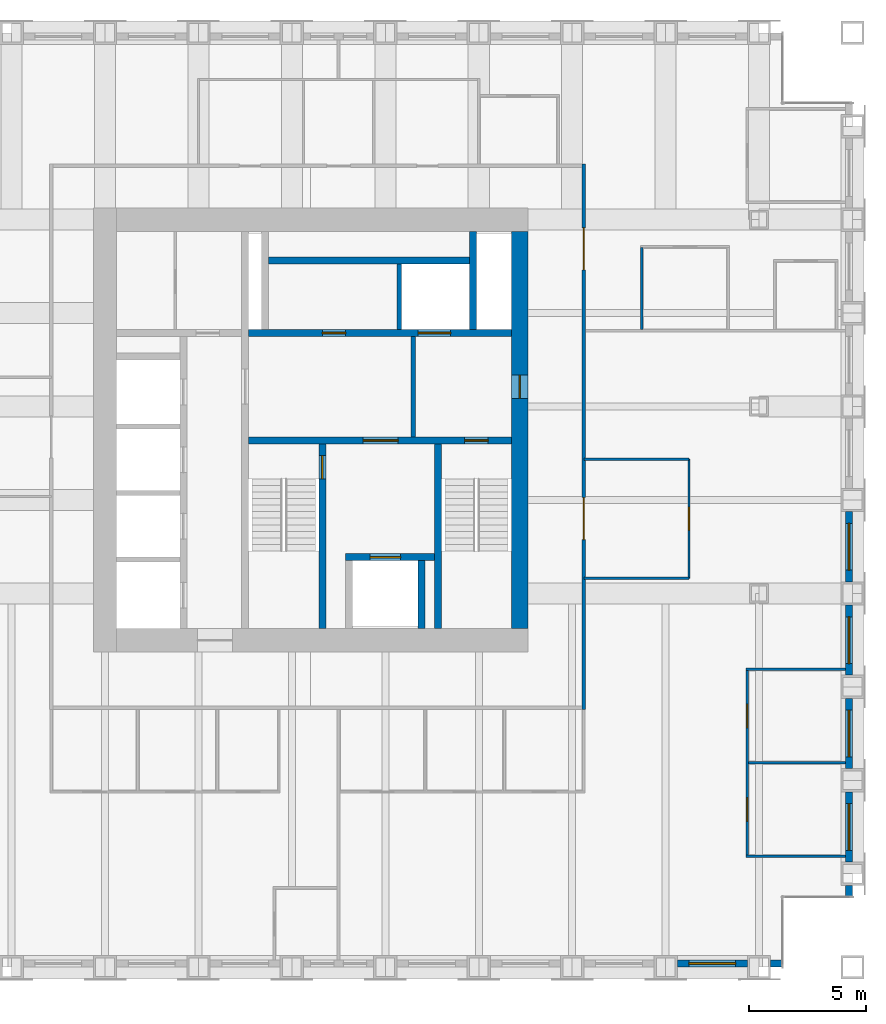
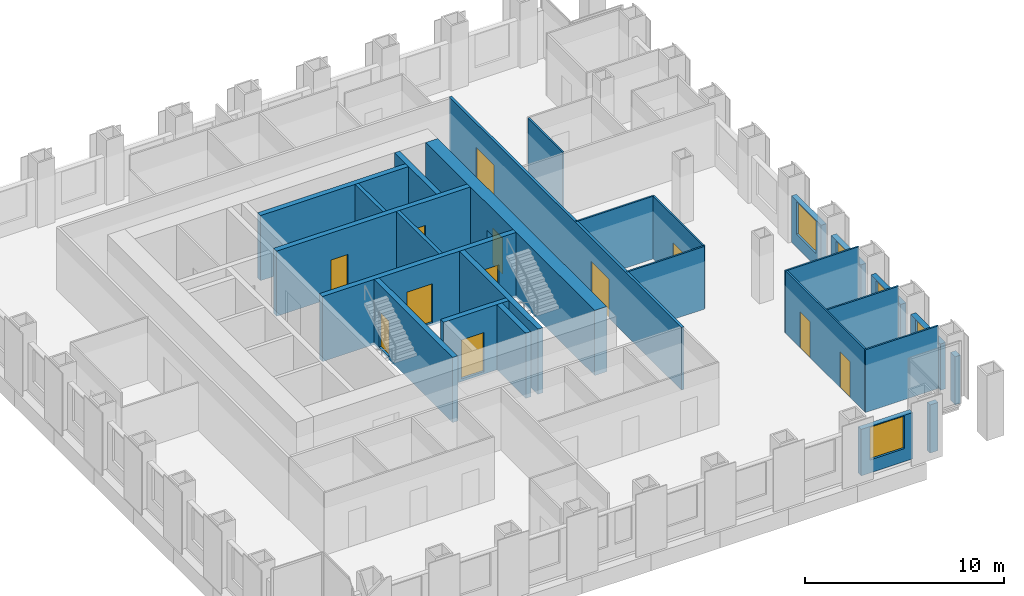
# One storey, part 9 of 13: 27 walls, 12 doors, 5 windows, 17 openings.
"""IFC4 building model written with IfcOpenShell, lengths in metres."""

from ifc_helpers import new_model, si_unit, direction, frame, frame_2d, origin, place, context, subcontext, project, spatial, rectangle, extrude, material, layer, layer_set, type_object, element, fill, save


model = new_model("IFC4")

# Units and contexts
model_context = context("Model", 3, precision=1e-05, world=origin(), true_north=direction((0.0, 1.0)))
body_context = subcontext(model_context, "Body", "Model", "MODEL_VIEW")
ifc_project = project(units=[si_unit("LENGTHUNIT", "METRE"), si_unit("AREAUNIT", "SQUARE_METRE"), si_unit("VOLUMEUNIT", "CUBIC_METRE"), si_unit("PLANEANGLEUNIT", "RADIAN"), si_unit("MASSUNIT", "GRAM", prefix="KILO")], contexts=[model_context])

# Site, building, storey
site_placement = place(None, origin())
site = spatial("IfcSite", under=ifc_project, at=site_placement, CompositionType="ELEMENT")
building_placement = place(site_placement, origin())
building = spatial("IfcBuilding", under=site, at=building_placement, Name="Rimbunsela Tower", CompositionType="ELEMENT")
storey_placement = place(building_placement, frame((0.0, 0.0, 254.199951171875)))
storey = spatial("IfcBuildingStorey", under=building, at=storey_placement, Name="L61", CompositionType="ELEMENT", Elevation=254.199951171875)

# Wall, openings, doors
ifc_material_1 = material(Name="Concrete fc' 80 MPa", Category="concrete")
ifc_layer_1 = layer(ifc_material_1, 0.300048828125)
ifc_layer_set_1 = layer_set([ifc_layer_1], Name="Core internal wall 300")
wall_type_1 = type_object("IfcWallType", Name="Core internal wall 300", PredefinedType="SHEAR", material=ifc_layer_set_1)
wall_1_placement = place(storey_placement, frame((24.14990234375, 26.550048828125, -0.14990234375), z_axis=(0.0, 0.0, 1.0), x_axis=(1.0, 0.0, 0.0)))
wall_1 = element("IfcWall", 1, at=wall_1_placement, inside=storey, type_object=wall_type_1, Name="Core wall lobby south", PredefinedType="SHEAR", context=body_context, shape_type="SweptSolid", body=[
    extrude(rectangle(XDim=11.25, YDim=0.300048828125, at=frame_2d((5.625, 0.0))), origin(), (0.0, 0.0, 1.0), 4.0),
])
opening_1_placement = place(wall_1_placement, frame((9.25, 0.0, 0.14990234375)))
opening_1 = element("IfcOpeningElement", 2, at=opening_1_placement, cuts=wall_1, Name="Opening D01", PredefinedType="OPENING", context=body_context, shape_type="SweptSolid", body=[
    extrude(rectangle(XDim=1.0, YDim=2.199951171875, at=frame_2d((0.5, 1.10009765625))), frame((0.0, 0.159912109375, 0.0), z_axis=(0.0, -1.0, 0.0), x_axis=(1.0, 0.0, 0.0)), (0.0, 0.0, 1.0), 0.320068359375),
])
opening_2_placement = place(wall_1_placement, frame((4.89990234375, 0.0, 0.14990234375)))
opening_2 = element("IfcOpeningElement", 3, at=opening_2_placement, cuts=wall_1, Name="Opening D03", PredefinedType="OPENING", context=body_context, shape_type="SweptSolid", body=[
    extrude(rectangle(XDim=1.5, YDim=2.39990234375, at=frame_2d((0.75, 1.199951171875))), frame((0.0, 0.159912109375, 0.0), z_axis=(0.0, -1.0, 0.0), x_axis=(1.0, 0.0, 0.0)), (0.0, 0.0, 1.0), 0.320068359375),
])
ifc_material_2 = material(Name="Steel door, fire rated", Category="steel")
door_type_1 = type_object("IfcDoorType", Name="Core lobby door 1500", OperationType="DOUBLE_DOOR_DOUBLE_SWING", PredefinedType="DOOR", material=ifc_material_2)
door_1_placement = place(opening_2_placement, origin())
door_1 = element("IfcDoor", 4, at=door_1_placement, inside=storey, type_object=door_type_1, Name="Firefighting lobby door", OperationType="DOUBLE_DOOR_DOUBLE_SWING", OverallHeight=2.39990234375, OverallWidth=1.5, PredefinedType="DOOR", context=body_context, shape_type="SweptSolid", body=[
    extrude(rectangle(XDim=1.5, YDim=2.39990234375, at=frame_2d((0.75, 1.199951171875))), frame((0.0, 0.02490234375, 0.0), z_axis=(0.0, -1.0, 0.0), x_axis=(1.0, 0.0, 0.0)), (0.0, 0.0, 1.0), 0.050048828125),
])
fill(opening_2, door_1)
ifc_material_3 = material(Name="Steel door, fire rated", Category="steel")
door_type_2 = type_object("IfcDoorType", Name="Stair door 1000", OperationType="SINGLE_SWING_RIGHT", PredefinedType="DOOR", material=ifc_material_3)
door_2_placement = place(opening_1_placement, frame((1.0, 0.0, 0.0), z_axis=(0.0, 0.0, 1.0), x_axis=(-1.0, 0.0, 0.0)))
door_2 = element("IfcDoor", 5, at=door_2_placement, inside=storey, type_object=door_type_2, Name="Stair B door", OperationType="SINGLE_SWING_RIGHT", OverallHeight=2.199951171875, OverallWidth=1.0, PredefinedType="DOOR", context=body_context, shape_type="SweptSolid", body=[
    extrude(rectangle(XDim=1.0, YDim=2.199951171875, at=frame_2d((0.5, 1.10009765625))), frame((0.0, 0.02490234375, 0.0), z_axis=(0.0, -1.0, 0.0), x_axis=(1.0, 0.0, 0.0)), (0.0, 0.0, 1.0), 0.050048828125),
])
fill(opening_1, door_2)

# Wall, opening, door
wall_2_placement = place(storey_placement, frame((27.300048828125, 18.5, -0.14990234375), z_axis=(0.0, 0.0, 1.0), x_axis=(0.0, 1.0, 0.0)))
wall_2 = element("IfcWall", 6, at=wall_2_placement, inside=storey, type_object=wall_type_1, Name="Stair A enclosure", PredefinedType="SHEAR", context=body_context, shape_type="SweptSolid", body=[
    extrude(rectangle(XDim=7.89990234375, YDim=0.300048828125, at=frame_2d((3.949951171875, 0.0))), origin(), (0.0, 0.0, 1.0), 4.0),
])
opening_3_placement = place(wall_2_placement, frame((6.39990234375, 0.0, 0.14990234375)))
opening_3 = element("IfcOpeningElement", 7, at=opening_3_placement, cuts=wall_2, Name="Opening D01", PredefinedType="OPENING", context=body_context, shape_type="SweptSolid", body=[
    extrude(rectangle(XDim=1.0, YDim=2.199951171875, at=frame_2d((0.5, 1.10009765625))), frame((0.0, 0.159912109375, 0.0), z_axis=(0.0, -1.0, 0.0), x_axis=(1.0, 0.0, 0.0)), (0.0, 0.0, 1.0), 0.320068359375),
])
door_3_placement = place(opening_3_placement, origin())
door_3 = element("IfcDoor", 8, at=door_3_placement, inside=storey, type_object=door_type_2, Name="Stair A door", OperationType="SINGLE_SWING_RIGHT", OverallHeight=2.199951171875, OverallWidth=1.0, PredefinedType="DOOR", context=body_context, shape_type="SweptSolid", body=[
    extrude(rectangle(XDim=1.0, YDim=2.199951171875, at=frame_2d((0.5, 1.10009765625))), frame((0.0, 0.02490234375, 0.0), z_axis=(0.0, -1.0, 0.0), x_axis=(1.0, 0.0, 0.0)), (0.0, 0.0, 1.0), 0.050048828125),
])
fill(opening_3, door_3)

# Walls
wall_3_placement = place(storey_placement, frame((32.25, 18.5, -0.14990234375), z_axis=(0.0, 0.0, 1.0), x_axis=(0.0, 1.0, 0.0)))
element("IfcWall", 9, at=wall_3_placement, inside=storey, type_object=wall_type_1, Name="Stair B enclosure", PredefinedType="SHEAR", context=body_context, shape_type="SweptSolid", body=[
    extrude(rectangle(XDim=7.89990234375, YDim=0.300048828125, at=frame_2d((3.949951171875, 0.0))), origin(), (0.0, 0.0, 1.0), 4.0),
])
wall_4_placement = place(storey_placement, frame((31.550048828125, 18.5, -0.14990234375), z_axis=(0.0, 0.0, 1.0), x_axis=(0.0, 1.0, 0.0)))
element("IfcWall", 10, at=wall_4_placement, inside=storey, type_object=wall_type_1, Name="Firefighting lift shaft east", PredefinedType="SHEAR", context=body_context, shape_type="SweptSolid", body=[
    extrude(rectangle(XDim=2.89990234375, YDim=0.300048828125, at=frame_2d((1.449951171875, 0.0))), origin(), (0.0, 0.0, 1.0), 4.0),
])

# Wall, opening, door
wall_5_placement = place(storey_placement, frame((28.300048828125, 21.550048828125, -0.14990234375), z_axis=(0.0, 0.0, 1.0), x_axis=(1.0, 0.0, 0.0)))
wall_5 = element("IfcWall", 11, at=wall_5_placement, inside=storey, type_object=wall_type_1, Name="Firefighting lift shaft front", PredefinedType="SHEAR", context=body_context, shape_type="SweptSolid", body=[
    extrude(rectangle(XDim=3.800048828125, YDim=0.300048828125, at=frame_2d((1.89990234375, 0.0))), origin(), (0.0, 0.0, 1.0), 4.0),
])
opening_4_placement = place(wall_5_placement, frame((1.050048828125, 0.0, 0.14990234375)))
opening_4 = element("IfcOpeningElement", 12, at=opening_4_placement, cuts=wall_5, Name="Opening LD2", PredefinedType="OPENING", context=body_context, shape_type="SweptSolid", body=[
    extrude(rectangle(XDim=1.300048828125, YDim=2.39990234375, at=frame_2d((0.64990234375, 1.199951171875))), frame((0.0, 0.159912109375, 0.0), z_axis=(0.0, -1.0, 0.0), x_axis=(1.0, 0.0, 0.0)), (0.0, 0.0, 1.0), 0.320068359375),
])
ifc_material_4 = material(Name="Steel door, fire rated", Category="steel")
door_type_3 = type_object("IfcDoorType", Name="Lift landing door 1300", OperationType="DOUBLE_DOOR_SLIDING", PredefinedType="DOOR", material=ifc_material_4)
door_4_placement = place(opening_4_placement, origin())
door_4 = element("IfcDoor", 13, at=door_4_placement, inside=storey, type_object=door_type_3, Name="Lift landing door FL1", OperationType="DOUBLE_DOOR_SLIDING", OverallHeight=2.39990234375, OverallWidth=1.300048828125, PredefinedType="DOOR", context=body_context, shape_type="SweptSolid", body=[
    extrude(rectangle(XDim=1.300048828125, YDim=2.39990234375, at=frame_2d((0.64990234375, 1.199951171875))), frame((0.0, 0.02490234375, 0.0), z_axis=(0.0, -1.0, 0.0), x_axis=(1.0, 0.0, 0.0)), (0.0, 0.0, 1.0), 0.050048828125),
])
fill(opening_4, door_4)

# Wall, openings, doors
wall_6_placement = place(storey_placement, frame((24.14990234375, 31.14990234375, -0.14990234375), z_axis=(0.0, 0.0, 1.0), x_axis=(1.0, 0.0, 0.0)))
wall_6 = element("IfcWall", 14, at=wall_6_placement, inside=storey, type_object=wall_type_1, Name="Lift shaft front north", PredefinedType="SHEAR", context=body_context, shape_type="SweptSolid", body=[
    extrude(rectangle(XDim=11.25, YDim=0.300048828125, at=frame_2d((5.625, 0.0))), origin(), (0.0, 0.0, 1.0), 4.0),
])
opening_5_placement = place(wall_6_placement, frame((3.14990234375, 0.0, 0.14990234375)))
opening_5 = element("IfcOpeningElement", 15, at=opening_5_placement, cuts=wall_6, Name="Opening D19", PredefinedType="OPENING", context=body_context, shape_type="SweptSolid", body=[
    extrude(rectangle(XDim=1.0, YDim=2.199951171875, at=frame_2d((0.5, 1.10009765625))), frame((0.0, 0.159912109375, 0.0), z_axis=(0.0, -1.0, 0.0), x_axis=(1.0, 0.0, 0.0)), (0.0, 0.0, 1.0), 0.320068359375),
])
opening_6_placement = place(wall_6_placement, frame((7.25, 0.0, 0.14990234375)))
opening_6 = element("IfcOpeningElement", 16, at=opening_6_placement, cuts=wall_6, Name="Opening LD3", PredefinedType="OPENING", context=body_context, shape_type="SweptSolid", body=[
    extrude(rectangle(XDim=1.39990234375, YDim=2.39990234375, at=frame_2d((0.699951171875, 1.199951171875))), frame((0.0, 0.159912109375, 0.0), z_axis=(0.0, -1.0, 0.0), x_axis=(1.0, 0.0, 0.0)), (0.0, 0.0, 1.0), 0.320068359375),
])
ifc_material_5 = material(Name="Steel door, fire rated", Category="steel")
door_type_4 = type_object("IfcDoorType", Name="Lift landing door 1400", OperationType="DOUBLE_DOOR_SLIDING", PredefinedType="DOOR", material=ifc_material_5)
door_5_placement = place(opening_6_placement, origin())
door_5 = element("IfcDoor", 17, at=door_5_placement, inside=storey, type_object=door_type_4, Name="Lift landing door FL2", OperationType="DOUBLE_DOOR_SLIDING", OverallHeight=2.39990234375, OverallWidth=1.39990234375, PredefinedType="DOOR", context=body_context, shape_type="SweptSolid", body=[
    extrude(rectangle(XDim=1.39990234375, YDim=2.39990234375, at=frame_2d((0.699951171875, 1.199951171875))), frame((0.0, 0.02490234375, 0.0), z_axis=(0.0, -1.0, 0.0), x_axis=(1.0, 0.0, 0.0)), (0.0, 0.0, 1.0), 0.050048828125),
])
fill(opening_6, door_5)
ifc_material_6 = material(Name="Steel door, fire rated", Category="steel")
door_type_5 = type_object("IfcDoorType", Name="Service door 1000 fire rated", OperationType="SINGLE_SWING_LEFT", PredefinedType="DOOR", material=ifc_material_6)
door_6_placement = place(opening_5_placement, origin())
door_6 = element("IfcDoor", 18, at=door_6_placement, inside=storey, type_object=door_type_5, Name="Equipment store door", OperationType="SINGLE_SWING_LEFT", OverallHeight=2.199951171875, OverallWidth=1.0, PredefinedType="DOOR", context=body_context, shape_type="SweptSolid", body=[
    extrude(rectangle(XDim=1.0, YDim=2.199951171875, at=frame_2d((0.5, 1.10009765625))), frame((0.0, 0.02490234375, 0.0), z_axis=(0.0, -1.0, 0.0), x_axis=(1.0, 0.0, 0.0)), (0.0, 0.0, 1.0), 0.050048828125),
])
fill(opening_5, door_6)

# Walls
wall_7_placement = place(storey_placement, frame((33.75, 31.300048828125, -0.14990234375), z_axis=(0.0, 0.0, 1.0), x_axis=(0.0, 1.0, 0.0)))
element("IfcWall", 19, at=wall_7_placement, inside=storey, type_object=wall_type_1, Name="Riser wall", PredefinedType="SHEAR", context=body_context, shape_type="SweptSolid", body=[
    extrude(rectangle(XDim=4.199951171875, YDim=0.300048828125, at=frame_2d((2.10009765625, 0.0))), origin(), (0.0, 0.0, 1.0), 4.0),
])
wall_8_placement = place(storey_placement, frame((25.0, 34.25, -0.14990234375), z_axis=(0.0, 0.0, 1.0), x_axis=(1.0, 0.0, 0.0)))
element("IfcWall", 20, at=wall_8_placement, inside=storey, type_object=wall_type_1, Name="Lift shaft rear north", PredefinedType="SHEAR", context=body_context, shape_type="SweptSolid", body=[
    extrude(rectangle(XDim=8.60009765625, YDim=0.300048828125, at=frame_2d((4.300048828125, 0.0))), origin(), (0.0, 0.0, 1.0), 4.0),
])

# Wall, opening, door
ifc_material_7 = material(Name="Concrete fc' 80 MPa", Category="concrete")
ifc_layer_2 = layer(ifc_material_7, 0.699951171875)
ifc_layer_set_2 = layer_set([ifc_layer_2], Name="Core wall 700 east")
wall_type_2 = type_object("IfcWallType", Name="Core wall 700 east", PredefinedType="SHEAR", material=ifc_layer_set_2)
wall_9_placement = place(storey_placement, frame((35.75, 18.5, -0.14990234375), z_axis=(0.0, 0.0, 1.0), x_axis=(0.0, 1.0, 0.0)))
wall_9 = element("IfcWall", 21, at=wall_9_placement, inside=storey, type_object=wall_type_2, Name="Core wall east", PredefinedType="SHEAR", context=body_context, shape_type="SweptSolid", body=[
    extrude(rectangle(XDim=17.0, YDim=0.699951171875, at=frame_2d((8.5, 0.0))), origin(), (0.0, 0.0, 1.0), 4.0),
])
opening_7_placement = place(wall_9_placement, frame((9.85009765625, 0.0, 0.14990234375)))
opening_7 = element("IfcOpeningElement", 22, at=opening_7_placement, cuts=wall_9, Name="Opening D01", PredefinedType="OPENING", context=body_context, shape_type="SweptSolid", body=[
    extrude(rectangle(XDim=1.0, YDim=2.199951171875, at=frame_2d((0.5, 1.10009765625))), frame((0.0, 0.35986328125, 0.0), z_axis=(0.0, -1.0, 0.0), x_axis=(1.0, 0.0, 0.0)), (0.0, 0.0, 1.0), 0.719970703125),
])
door_7_placement = place(opening_7_placement, origin())
door_7 = element("IfcDoor", 23, at=door_7_placement, inside=storey, type_object=door_type_2, Name="Firefighting lobby 2 door", OperationType="SINGLE_SWING_RIGHT", OverallHeight=2.199951171875, OverallWidth=1.0, PredefinedType="DOOR", context=body_context, shape_type="SweptSolid", body=[
    extrude(rectangle(XDim=1.0, YDim=2.199951171875, at=frame_2d((0.5, 1.10009765625))), frame((0.0, 0.02490234375, 0.0), z_axis=(0.0, -1.0, 0.0), x_axis=(1.0, 0.0, 0.0)), (0.0, 0.0, 1.0), 0.050048828125),
])
fill(opening_7, door_7)

# Walls
ifc_material_8 = material(Name="Concrete blockwork", Category="masonry")
ifc_layer_3 = layer(ifc_material_8, 0.199951171875)
ifc_layer_set_3 = layer_set([ifc_layer_3], Name="Lift shaft wall 200")
wall_type_3 = type_object("IfcWallType", Name="Lift shaft wall 200", PredefinedType="SOLIDWALL", material=ifc_layer_set_3)
wall_10_placement = place(storey_placement, frame((30.60009765625, 31.300048828125, -0.14990234375), z_axis=(0.0, 0.0, 1.0), x_axis=(0.0, 1.0, 0.0)))
element("IfcWall", 24, at=wall_10_placement, inside=storey, type_object=wall_type_3, Name="Lift shaft separation", PredefinedType="SOLIDWALL", context=body_context, shape_type="SweptSolid", body=[
    extrude(rectangle(XDim=2.800048828125, YDim=0.199951171875, at=frame_2d((1.39990234375, 0.0))), origin(), (0.0, 0.0, 1.0), 4.0),
])
wall_11_placement = place(storey_placement, frame((31.199951171875, 26.699951171875, 0.0), z_axis=(0.0, 0.0, 1.0), x_axis=(0.0, 1.0, 0.0)))
element("IfcWall", 25, at=wall_11_placement, inside=storey, type_object=wall_type_3, Name="Firefighting lobby 2 wall", PredefinedType="SOLIDWALL", context=body_context, shape_type="SweptSolid", body=[
    extrude(rectangle(XDim=4.300048828125, YDim=0.199951171875, at=frame_2d((2.14990234375, 0.0))), origin(), (0.0, 0.0, 1.0), 3.85009765625),
])
ifc_material_9 = material(Name="Gypsum board on steel studs", Category="steel")
ifc_layer_4 = layer(ifc_material_9, 0.10009765625)
ifc_layer_set_4 = layer_set([ifc_layer_4], Name="Office partition 100")
wall_type_4 = type_object("IfcWallType", Name="Office partition 100", PredefinedType="PARTITIONING", material=ifc_layer_set_4)
wall_12_placement = place(storey_placement, frame((45.449951171875, 8.75, 0.0), z_axis=(0.0, 0.0, 1.0), x_axis=(1.0, 0.0, 0.0)))
element("IfcWall", 26, at=wall_12_placement, inside=storey, type_object=wall_type_4, Name="Office partition", PredefinedType="PARTITIONING", context=body_context, shape_type="SweptSolid", body=[
    extrude(rectangle(XDim=4.25, YDim=0.10009765625, at=frame_2d((2.125, 0.0))), origin(), (0.0, 0.0, 1.0), 3.85009765625),
])
wall_13_placement = place(storey_placement, frame((45.550048828125, 12.75, 0.0), z_axis=(0.0, 0.0, 1.0), x_axis=(1.0, 0.0, 0.0)))
element("IfcWall", 27, at=wall_13_placement, inside=storey, type_object=wall_type_4, Name="Office partition", PredefinedType="PARTITIONING", context=body_context, shape_type="SweptSolid", body=[
    extrude(rectangle(XDim=4.14990234375, YDim=0.10009765625, at=frame_2d((2.074951171875, 0.0))), origin(), (0.0, 0.0, 1.0), 3.85009765625),
])
wall_14_placement = place(storey_placement, frame((45.449951171875, 16.75, 0.0), z_axis=(0.0, 0.0, 1.0), x_axis=(1.0, 0.0, 0.0)))
element("IfcWall", 28, at=wall_14_placement, inside=storey, type_object=wall_type_4, Name="Office partition", PredefinedType="PARTITIONING", context=body_context, shape_type="SweptSolid", body=[
    extrude(rectangle(XDim=4.25, YDim=0.10009765625, at=frame_2d((2.125, 0.0))), origin(), (0.0, 0.0, 1.0), 3.85009765625),
])
wall_15_placement = place(storey_placement, frame((40.97509765625, 31.31005859375, 0.0), z_axis=(0.0, 0.0, 1.0), x_axis=(0.0, 1.0, 0.0)))
element("IfcWall", 29, at=wall_15_placement, inside=storey, type_object=wall_type_4, Name="Office partition", PredefinedType="PARTITIONING", context=body_context, shape_type="SweptSolid", body=[
    extrude(rectangle(XDim=3.489990234375, YDim=0.10009765625, at=frame_2d((1.7451171875, 0.0))), origin(), (0.0, 0.0, 1.0), 3.85009765625),
])

# Wall, openings, doors
wall_16_placement = place(storey_placement, frame((45.5, 8.800048828125, 0.0), z_axis=(0.0, 0.0, 1.0), x_axis=(0.0, 1.0, 0.0)))
wall_16 = element("IfcWall", 30, at=wall_16_placement, inside=storey, type_object=wall_type_4, Name="Office partition", PredefinedType="PARTITIONING", context=body_context, shape_type="SweptSolid", body=[
    extrude(rectangle(XDim=7.89990234375, YDim=0.10009765625, at=frame_2d((3.949951171875, 0.0))), origin(), (0.0, 0.0, 1.0), 3.85009765625),
])
opening_8_placement = place(wall_16_placement, frame((1.449951171875, 0.0, 0.0)))
opening_8 = element("IfcOpeningElement", 31, at=opening_8_placement, cuts=wall_16, Name="Opening D16", PredefinedType="OPENING", context=body_context, shape_type="SweptSolid", body=[
    extrude(rectangle(XDim=1.0, YDim=2.199951171875, at=frame_2d((0.5, 1.10009765625))), frame((0.0, 0.06005859375, 0.0), z_axis=(0.0, -1.0, 0.0), x_axis=(1.0, 0.0, 0.0)), (0.0, 0.0, 1.0), 0.1201171875),
])
opening_9_placement = place(wall_16_placement, frame((5.449951171875, 0.0, 0.0)))
opening_9 = element("IfcOpeningElement", 32, at=opening_9_placement, cuts=wall_16, Name="Opening D16", PredefinedType="OPENING", context=body_context, shape_type="SweptSolid", body=[
    extrude(rectangle(XDim=1.0, YDim=2.199951171875, at=frame_2d((0.5, 1.10009765625))), frame((0.0, 0.06005859375, 0.0), z_axis=(0.0, -1.0, 0.0), x_axis=(1.0, 0.0, 0.0)), (0.0, 0.0, 1.0), 0.1201171875),
])
ifc_material_10 = material(Name="Timber door", Category="wood")
door_type_6 = type_object("IfcDoorType", Name="Office door 1000", OperationType="SINGLE_SWING_LEFT", PredefinedType="DOOR", material=ifc_material_10)
door_8_placement = place(opening_8_placement, origin())
door_8 = element("IfcDoor", 33, at=door_8_placement, inside=storey, type_object=door_type_6, Name="Office door", OperationType="SINGLE_SWING_LEFT", OverallHeight=2.199951171875, OverallWidth=1.0, PredefinedType="DOOR", context=body_context, shape_type="SweptSolid", body=[
    extrude(rectangle(XDim=1.0, YDim=2.199951171875, at=frame_2d((0.5, 1.10009765625))), frame((0.0, 0.02490234375, 0.0), z_axis=(0.0, -1.0, 0.0), x_axis=(1.0, 0.0, 0.0)), (0.0, 0.0, 1.0), 0.050048828125),
])
fill(opening_8, door_8)
door_9_placement = place(opening_9_placement, origin())
door_9 = element("IfcDoor", 34, at=door_9_placement, inside=storey, type_object=door_type_6, Name="Office door", OperationType="SINGLE_SWING_LEFT", OverallHeight=2.199951171875, OverallWidth=1.0, PredefinedType="DOOR", context=body_context, shape_type="SweptSolid", body=[
    extrude(rectangle(XDim=1.0, YDim=2.199951171875, at=frame_2d((0.5, 1.10009765625))), frame((0.0, 0.02490234375, 0.0), z_axis=(0.0, -1.0, 0.0), x_axis=(1.0, 0.0, 0.0)), (0.0, 0.0, 1.0), 0.050048828125),
])
fill(opening_9, door_9)

# Wall
wall_17_placement = place(storey_placement, frame((38.5, 20.64990234375, 0.0), z_axis=(0.0, 0.0, 1.0), x_axis=(1.0, 0.0, 0.0)))
element("IfcWall", 35, at=wall_17_placement, inside=storey, type_object=wall_type_4, Name="Office partition", PredefinedType="PARTITIONING", context=body_context, shape_type="SweptSolid", body=[
    extrude(rectangle(XDim=4.5, YDim=0.10009765625, at=frame_2d((2.25, 0.0))), origin(), (0.0, 0.0, 1.0), 3.85009765625),
])

# Wall, opening, door
wall_18_placement = place(storey_placement, frame((43.0, 20.64990234375, 0.0), z_axis=(0.0, 0.0, 1.0), x_axis=(0.0, 1.0, 0.0)))
wall_18 = element("IfcWall", 36, at=wall_18_placement, inside=storey, type_object=wall_type_4, Name="Office partition", PredefinedType="PARTITIONING", context=body_context, shape_type="SweptSolid", body=[
    extrude(rectangle(XDim=5.10009765625, YDim=0.10009765625, at=frame_2d((2.550048828125, 0.0))), origin(), (0.0, 0.0, 1.0), 3.85009765625),
])
opening_10_placement = place(wall_18_placement, frame((2.050048828125, 0.0, 0.0)))
opening_10 = element("IfcOpeningElement", 37, at=opening_10_placement, cuts=wall_18, Name="Opening D17", PredefinedType="OPENING", context=body_context, shape_type="SweptSolid", body=[
    extrude(rectangle(XDim=1.0, YDim=2.199951171875, at=frame_2d((0.5, 1.10009765625))), frame((0.0, 0.06005859375, 0.0), z_axis=(0.0, -1.0, 0.0), x_axis=(1.0, 0.0, 0.0)), (0.0, 0.0, 1.0), 0.1201171875),
])
ifc_material_11 = material(Name="Glazed aluminium door", Category="aluminium")
door_type_7 = type_object("IfcDoorType", Name="Meeting room door 1000 glazed", OperationType="SINGLE_SWING_RIGHT", PredefinedType="DOOR", material=ifc_material_11)
door_10_placement = place(opening_10_placement, origin())
door_10 = element("IfcDoor", 38, at=door_10_placement, inside=storey, type_object=door_type_7, Name="Reception door", OperationType="SINGLE_SWING_RIGHT", OverallHeight=2.199951171875, OverallWidth=1.0, PredefinedType="DOOR", context=body_context, shape_type="SweptSolid", body=[
    extrude(rectangle(XDim=1.0, YDim=2.199951171875, at=frame_2d((0.5, 1.10009765625))), frame((0.0, 0.02490234375, 0.0), z_axis=(0.0, -1.0, 0.0), x_axis=(1.0, 0.0, 0.0)), (0.0, 0.0, 1.0), 0.050048828125),
])
fill(opening_10, door_10)

# Wall
wall_19_placement = place(storey_placement, frame((43.0, 25.75, 0.0), z_axis=(0.0, 0.0, 1.0), x_axis=(-1.0, 0.0, 0.0)))
element("IfcWall", 39, at=wall_19_placement, inside=storey, type_object=wall_type_4, Name="Office partition", PredefinedType="PARTITIONING", context=body_context, shape_type="SweptSolid", body=[
    extrude(rectangle(XDim=4.5, YDim=0.10009765625, at=frame_2d((2.25, 0.0))), origin(), (0.0, 0.0, 1.0), 3.85009765625),
])

# Wall, opening, window
ifc_material_12 = material(Name="Precast concrete fc' 35 MPa", Category="concrete")
ifc_layer_5 = layer(ifc_material_12, 0.300048828125)
ifc_layer_set_5 = layer_set([ifc_layer_5], Name="Precast concrete fc' 35 MPa")
wall_type_5 = type_object("IfcWallType", Name="Precast facade panel 300", PredefinedType="ELEMENTEDWALL", material=ifc_layer_set_5)
wall_20_placement = place(storey_placement, frame((42.5, 4.14990234375, 0.0), z_axis=(0.0, 0.0, 1.0), x_axis=(1.0, 0.0, 0.0)))
wall_20 = element("IfcWall", 40, at=wall_20_placement, inside=storey, type_object=wall_type_5, Name="Facade panel S L61", PredefinedType="ELEMENTEDWALL", context=body_context, shape_type="SweptSolid", body=[
    extrude(rectangle(XDim=3.0, YDim=0.300048828125, at=frame_2d((1.5, 0.0))), origin(), (0.0, 0.0, 1.0), 2.85009765625),
])
opening_11_placement = place(wall_20_placement, frame((0.5, 0.0, 0.800048828125)))
opening_11 = element("IfcOpeningElement", 41, at=opening_11_placement, cuts=wall_20, Name="Opening W1", PredefinedType="OPENING", context=body_context, shape_type="SweptSolid", body=[
    extrude(rectangle(XDim=2.0, YDim=2.0, at=frame_2d((1.0, 1.0))), frame((0.0, 0.159912109375, 0.0), z_axis=(0.0, -1.0, 0.0), x_axis=(1.0, 0.0, 0.0)), (0.0, 0.0, 1.0), 0.320068359375),
])
ifc_material_13 = material(Name="Clear glass in aluminium frame", Category="aluminium")
window_type = type_object("IfcWindowType", Name="Window W1 2000x2000", PartitioningType="DOUBLE_PANEL_VERTICAL", PredefinedType="WINDOW", material=ifc_material_13)
window_1_placement = place(opening_11_placement, origin())
window_1 = element("IfcWindow", 42, at=window_1_placement, inside=storey, type_object=window_type, Name="Window L61", OverallHeight=2.0, OverallWidth=2.0, PartitioningType="SINGLE_PANEL", PredefinedType="WINDOW", context=body_context, shape_type="SweptSolid", body=[
    extrude(rectangle(XDim=2.0, YDim=2.0, at=frame_2d((1.0, 1.0))), frame((0.0, 0.030029296875, 0.0), z_axis=(0.0, -1.0, 0.0), x_axis=(1.0, 0.0, 0.0)), (0.0, 0.0, 1.0), 0.06005859375),
])
fill(opening_11, window_1)

# Walls
for number, where, z_axis, x_axis, name in (
    (43, (46.5, 4.14990234375, 0.0), (0.0, 0.0, 1.0), (1.0, 0.0, 0.0), "Facade panel S L61"),
    (44, (49.85009765625, 7.030029296875, 0.0), (0.0, 0.0, 1.0), (0.0, 1.0, 0.0), "Facade panel E L61"),
):
    element("IfcWall", number, at=place(storey_placement, frame(where, z_axis=z_axis, x_axis=x_axis)), inside=storey, type_object=wall_type_5, Name=name, PredefinedType="ELEMENTEDWALL", context=body_context, shape_type="SweptSolid", body=[
        extrude(rectangle(XDim=0.469970703125, YDim=0.300048828125, at=frame_2d((0.23486328125, 0.0))), origin(), (0.0, 0.0, 1.0), 2.949951171875),
    ])

# Wall, opening, window
wall_21_placement = place(storey_placement, frame((49.85009765625, 8.5, 0.0), z_axis=(0.0, 0.0, 1.0), x_axis=(0.0, 1.0, 0.0)))
wall_21 = element("IfcWall", 45, at=wall_21_placement, inside=storey, type_object=wall_type_5, Name="Facade panel E L61", PredefinedType="ELEMENTEDWALL", context=body_context, shape_type="SweptSolid", body=[
    extrude(rectangle(XDim=3.0, YDim=0.300048828125, at=frame_2d((1.5, 0.0))), origin(), (0.0, 0.0, 1.0), 2.85009765625),
])
opening_12_placement = place(wall_21_placement, frame((0.5, 0.0, 0.800048828125)))
opening_12 = element("IfcOpeningElement", 46, at=opening_12_placement, cuts=wall_21, Name="Opening W1", PredefinedType="OPENING", context=body_context, shape_type="SweptSolid", body=[
    extrude(rectangle(XDim=2.0, YDim=2.0, at=frame_2d((1.0, 1.0))), frame((0.0, 0.159912109375, 0.0), z_axis=(0.0, -1.0, 0.0), x_axis=(1.0, 0.0, 0.0)), (0.0, 0.0, 1.0), 0.320068359375),
])
window_2_placement = place(opening_12_placement, origin())
window_2 = element("IfcWindow", 47, at=window_2_placement, inside=storey, type_object=window_type, Name="Window L61", OverallHeight=2.0, OverallWidth=2.0, PartitioningType="SINGLE_PANEL", PredefinedType="WINDOW", context=body_context, shape_type="SweptSolid", body=[
    extrude(rectangle(XDim=2.0, YDim=2.0, at=frame_2d((1.0, 1.0))), frame((0.0, 0.030029296875, 0.0), z_axis=(0.0, -1.0, 0.0), x_axis=(1.0, 0.0, 0.0)), (0.0, 0.0, 1.0), 0.06005859375),
])
fill(opening_12, window_2)

wall_22_placement = place(storey_placement, frame((49.85009765625, 12.5, 0.0), z_axis=(0.0, 0.0, 1.0), x_axis=(0.0, 1.0, 0.0)))
wall_22 = element("IfcWall", 48, at=wall_22_placement, inside=storey, type_object=wall_type_5, Name="Facade panel E L61", PredefinedType="ELEMENTEDWALL", context=body_context, shape_type="SweptSolid", body=[
    extrude(rectangle(XDim=3.0, YDim=0.300048828125, at=frame_2d((1.5, 0.0))), origin(), (0.0, 0.0, 1.0), 2.85009765625),
])
opening_13_placement = place(wall_22_placement, frame((0.5, 0.0, 0.800048828125)))
opening_13 = element("IfcOpeningElement", 49, at=opening_13_placement, cuts=wall_22, Name="Opening W1", PredefinedType="OPENING", context=body_context, shape_type="SweptSolid", body=[
    extrude(rectangle(XDim=2.0, YDim=2.0, at=frame_2d((1.0, 1.0))), frame((0.0, 0.159912109375, 0.0), z_axis=(0.0, -1.0, 0.0), x_axis=(1.0, 0.0, 0.0)), (0.0, 0.0, 1.0), 0.320068359375),
])
window_3_placement = place(opening_13_placement, origin())
window_3 = element("IfcWindow", 50, at=window_3_placement, inside=storey, type_object=window_type, Name="Window L61", OverallHeight=2.0, OverallWidth=2.0, PartitioningType="SINGLE_PANEL", PredefinedType="WINDOW", context=body_context, shape_type="SweptSolid", body=[
    extrude(rectangle(XDim=2.0, YDim=2.0, at=frame_2d((1.0, 1.0))), frame((0.0, 0.030029296875, 0.0), z_axis=(0.0, -1.0, 0.0), x_axis=(1.0, 0.0, 0.0)), (0.0, 0.0, 1.0), 0.06005859375),
])
fill(opening_13, window_3)

wall_23_placement = place(storey_placement, frame((49.85009765625, 16.5, 0.0), z_axis=(0.0, 0.0, 1.0), x_axis=(0.0, 1.0, 0.0)))
wall_23 = element("IfcWall", 51, at=wall_23_placement, inside=storey, type_object=wall_type_5, Name="Facade panel E L61", PredefinedType="ELEMENTEDWALL", context=body_context, shape_type="SweptSolid", body=[
    extrude(rectangle(XDim=3.0, YDim=0.300048828125, at=frame_2d((1.5, 0.0))), origin(), (0.0, 0.0, 1.0), 2.85009765625),
])
opening_14_placement = place(wall_23_placement, frame((0.5, 0.0, 0.800048828125)))
opening_14 = element("IfcOpeningElement", 52, at=opening_14_placement, cuts=wall_23, Name="Opening W1", PredefinedType="OPENING", context=body_context, shape_type="SweptSolid", body=[
    extrude(rectangle(XDim=2.0, YDim=2.0, at=frame_2d((1.0, 1.0))), frame((0.0, 0.159912109375, 0.0), z_axis=(0.0, -1.0, 0.0), x_axis=(1.0, 0.0, 0.0)), (0.0, 0.0, 1.0), 0.320068359375),
])
window_4_placement = place(opening_14_placement, origin())
window_4 = element("IfcWindow", 53, at=window_4_placement, inside=storey, type_object=window_type, Name="Window L61", OverallHeight=2.0, OverallWidth=2.0, PartitioningType="SINGLE_PANEL", PredefinedType="WINDOW", context=body_context, shape_type="SweptSolid", body=[
    extrude(rectangle(XDim=2.0, YDim=2.0, at=frame_2d((1.0, 1.0))), frame((0.0, 0.030029296875, 0.0), z_axis=(0.0, -1.0, 0.0), x_axis=(1.0, 0.0, 0.0)), (0.0, 0.0, 1.0), 0.06005859375),
])
fill(opening_14, window_4)

wall_24_placement = place(storey_placement, frame((49.85009765625, 20.5, 0.0), z_axis=(0.0, 0.0, 1.0), x_axis=(0.0, 1.0, 0.0)))
wall_24 = element("IfcWall", 54, at=wall_24_placement, inside=storey, type_object=wall_type_5, Name="Facade panel E L61", PredefinedType="ELEMENTEDWALL", context=body_context, shape_type="SweptSolid", body=[
    extrude(rectangle(XDim=3.0, YDim=0.300048828125, at=frame_2d((1.5, 0.0))), origin(), (0.0, 0.0, 1.0), 2.85009765625),
])
opening_15_placement = place(wall_24_placement, frame((0.5, 0.0, 0.800048828125)))
opening_15 = element("IfcOpeningElement", 55, at=opening_15_placement, cuts=wall_24, Name="Opening W1", PredefinedType="OPENING", context=body_context, shape_type="SweptSolid", body=[
    extrude(rectangle(XDim=2.0, YDim=2.0, at=frame_2d((1.0, 1.0))), frame((0.0, 0.159912109375, 0.0), z_axis=(0.0, -1.0, 0.0), x_axis=(1.0, 0.0, 0.0)), (0.0, 0.0, 1.0), 0.320068359375),
])
window_5_placement = place(opening_15_placement, origin())
window_5 = element("IfcWindow", 56, at=window_5_placement, inside=storey, type_object=window_type, Name="Window L61", OverallHeight=2.0, OverallWidth=2.0, PartitioningType="SINGLE_PANEL", PredefinedType="WINDOW", context=body_context, shape_type="SweptSolid", body=[
    extrude(rectangle(XDim=2.0, YDim=2.0, at=frame_2d((1.0, 1.0))), frame((0.0, 0.030029296875, 0.0), z_axis=(0.0, -1.0, 0.0), x_axis=(1.0, 0.0, 0.0)), (0.0, 0.0, 1.0), 0.06005859375),
])
fill(opening_15, window_5)

# Wall, openings, doors
ifc_material_14 = material(Name="Fire-rated gypsum board on steel studs, EI 60", Category="steel")
ifc_layer_6 = layer(ifc_material_14, 0.14990234375)
ifc_layer_set_6 = layer_set([ifc_layer_6], Name="Rated corridor wall 150")
wall_type_6 = type_object("IfcWallType", Name="Rated corridor wall 150", PredefinedType="PARTITIONING", material=ifc_layer_set_6)
wall_25_placement = place(storey_placement, frame((38.5, 15.02490234375, 0.0), z_axis=(0.0, 0.0, 1.0), x_axis=(0.0, 1.0, 0.0)))
wall_25 = element("IfcWall", 57, at=wall_25_placement, inside=storey, type_object=wall_type_6, Name="Corridor wall east", PredefinedType="PARTITIONING", context=body_context, shape_type="SweptSolid", body=[
    extrude(rectangle(XDim=23.35009765625, YDim=0.14990234375, at=frame_2d((11.675048828125, 0.0))), origin(), (0.0, 0.0, 1.0), 3.85009765625),
])
opening_16_placement = place(wall_25_placement, frame((7.27490234375, 0.0, 0.0)))
opening_16 = element("IfcOpeningElement", 58, at=opening_16_placement, cuts=wall_25, Name="Opening D09", PredefinedType="OPENING", context=body_context, shape_type="SweptSolid", body=[
    extrude(rectangle(XDim=1.800048828125, YDim=2.39990234375, at=frame_2d((0.89990234375, 1.199951171875))), frame((0.0, 0.0849609375, 0.0), z_axis=(0.0, -1.0, 0.0), x_axis=(1.0, 0.0, 0.0)), (0.0, 0.0, 1.0), 0.169921875),
])
opening_17_placement = place(wall_25_placement, frame((18.825927734375, 0.0, 0.0)))
opening_17 = element("IfcOpeningElement", 59, at=opening_17_placement, cuts=wall_25, Name="Opening D09", PredefinedType="OPENING", context=body_context, shape_type="SweptSolid", body=[
    extrude(rectangle(XDim=1.800048828125, YDim=2.39990234375, at=frame_2d((0.89990234375, 1.199951171875))), frame((0.0, 0.0849609375, 0.0), z_axis=(0.0, -1.0, 0.0), x_axis=(1.0, 0.0, 0.0)), (0.0, 0.0, 1.0), 0.169921875),
])
ifc_material_15 = material(Name="Glazed aluminium door, fire rated", Category="aluminium")
door_type_8 = type_object("IfcDoorType", Name="Tenancy door 1800 glazed", OperationType="DOUBLE_DOOR_DOUBLE_SWING", PredefinedType="DOOR", material=ifc_material_15)
door_11_placement = place(opening_16_placement, origin())
door_11 = element("IfcDoor", 60, at=door_11_placement, inside=storey, type_object=door_type_8, Name="Tenancy door", OperationType="DOUBLE_DOOR_DOUBLE_SWING", OverallHeight=2.39990234375, OverallWidth=1.800048828125, PredefinedType="DOOR", context=body_context, shape_type="SweptSolid", body=[
    extrude(rectangle(XDim=1.800048828125, YDim=2.39990234375, at=frame_2d((0.89990234375, 1.199951171875))), frame((0.0, 0.02490234375, 0.0), z_axis=(0.0, -1.0, 0.0), x_axis=(1.0, 0.0, 0.0)), (0.0, 0.0, 1.0), 0.050048828125),
])
fill(opening_16, door_11)
door_12_placement = place(opening_17_placement, origin())
door_12 = element("IfcDoor", 61, at=door_12_placement, inside=storey, type_object=door_type_8, Name="Tenancy door", OperationType="DOUBLE_DOOR_DOUBLE_SWING", OverallHeight=2.39990234375, OverallWidth=1.800048828125, PredefinedType="DOOR", context=body_context, shape_type="SweptSolid", body=[
    extrude(rectangle(XDim=1.800048828125, YDim=2.39990234375, at=frame_2d((0.89990234375, 1.199951171875))), frame((0.0, 0.02490234375, 0.0), z_axis=(0.0, -1.0, 0.0), x_axis=(1.0, 0.0, 0.0)), (0.0, 0.0, 1.0), 0.050048828125),
])
fill(opening_17, door_12)

save(model, "model.ifc")
